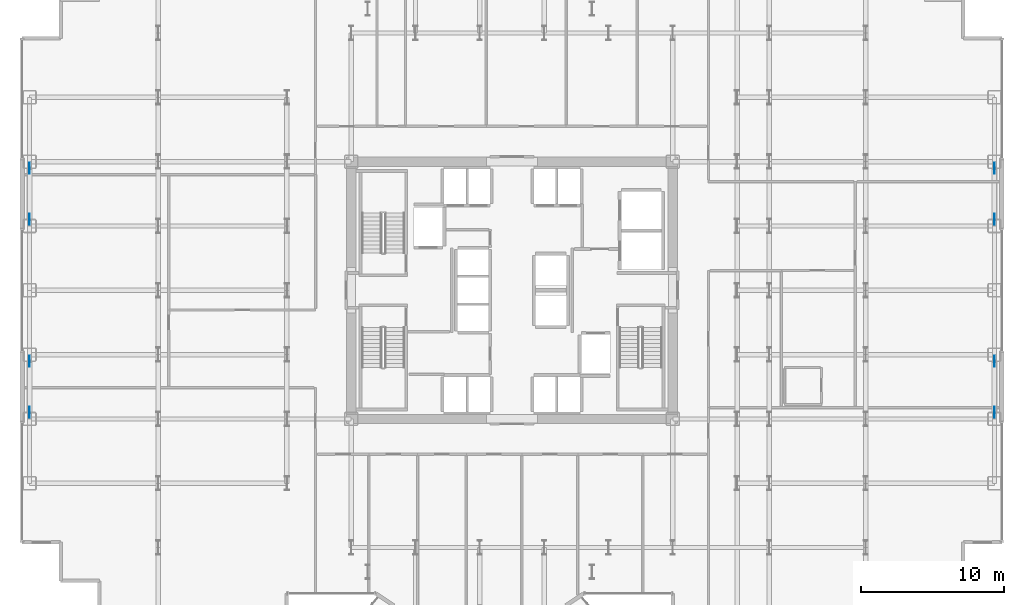
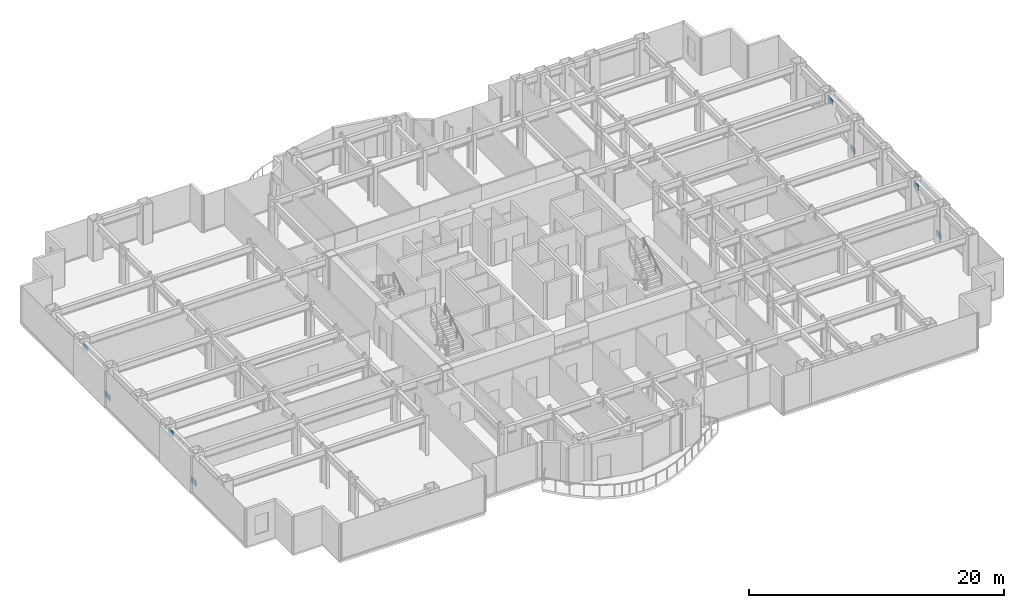
# One storey, part 21 of 29: 8 plates.
"""IFC4 building model written with IfcOpenShell, lengths in metres."""

from ifc_helpers import new_model, si_unit, direction, frame, origin, origin_2d, place, context, subcontext, project, spatial, rectangle, extrude, source, transform, mapped, material, layer, layer_set, type_object, element, save


model = new_model("IFC4")

# Units and contexts
model_context = context("Model", 3, precision=1e-05, world=origin(), true_north=direction((0.0, 1.0)))
body_context = subcontext(model_context, "Body", "Model", "MODEL_VIEW")
ifc_project = project(units=[si_unit("LENGTHUNIT", "METRE"), si_unit("AREAUNIT", "SQUARE_METRE"), si_unit("VOLUMEUNIT", "CUBIC_METRE"), si_unit("PLANEANGLEUNIT", "RADIAN"), si_unit("MASSUNIT", "GRAM", prefix="KILO")], contexts=[model_context])

# Site, building, storey
site_placement = place(None, origin())
site = spatial("IfcSite", under=ifc_project, at=site_placement, CompositionType="ELEMENT")
building_placement = place(site_placement, origin())
building = spatial("IfcBuilding", under=site, at=building_placement, Name="Nefas-Gora Pilgrimage Tower", CompositionType="ELEMENT")
storey_placement = place(building_placement, frame((0.0, 0.0, 78.60009765625)))
storey = spatial("IfcBuildingStorey", under=building, at=storey_placement, Name="L18", CompositionType="ELEMENT", Elevation=78.60009765625)

# Plates
ifc_material = material(Name="Steel S460", Category="steel")
ifc_layer = layer(ifc_material, 0.048095703125)
ifc_layer_set = layer_set([ifc_layer], Name="Steel S460")
plate_type = type_object("IfcPlateType", Name="PLT-NODE-N07", PredefinedType="USERDEFINED", material=ifc_layer_set)
shared_shape = source(origin(), body_context, "Body", "SweptSolid", [
    extrude(rectangle(XDim=0.780029296875, YDim=0.0380859375, at=origin_2d()), origin(), (0.0, 0.0, 1.0), 0.5400390625),
])
for number, where, z_axis, x_axis, name in (
    (1, (-33.75, -8.537109375, 0.211181640625), (0.0, 0.0, 1.0), (0.0, 1.0, 0.0), "Structural Node Gusset Plate N07 (L18)"),
    (2, (-33.75, -4.962890625, 2.7685546875), (0.0, 0.0, 1.0), (0.0, 1.0, 0.0), "Structural Node Gusset Plate N07 (L18)"),
    (3, (-33.75, 4.962890625, 0.211181640625), (0.0, 0.0, 1.0), (0.0, 1.0, 0.0), "Structural Node Gusset Plate N07 (L18)"),
    (4, (-33.75, 8.537109375, 2.7685546875), (0.0, 0.0, 1.0), (0.0, 1.0, 0.0), "Structural Node Gusset Plate N07 (L18)"),
    (5, (33.75, -8.537109375, 0.211181640625), (0.0, 0.0, 1.0), (0.0, 1.0, 0.0), "Structural Node Gusset Plate N07 (L18)"),
    (6, (33.75, -4.962890625, 2.7685546875), (0.0, 0.0, 1.0), (0.0, 1.0, 0.0), "Structural Node Gusset Plate N07 (L18)"),
    (7, (33.75, 4.962890625, 0.211181640625), (0.0, 0.0, 1.0), (0.0, 1.0, 0.0), "Structural Node Gusset Plate N07 (L18)"),
    (8, (33.75, 8.537109375, 2.7685546875), (0.0, 0.0, 1.0), (0.0, 1.0, 0.0), "Structural Node Gusset Plate N07 (L18)"),
):
    element("IfcPlate", number, at=place(storey_placement, frame(where, z_axis=z_axis, x_axis=x_axis)), inside=storey, type_object=plate_type, Name=name, ObjectType="GUSSET_PLATE", PredefinedType="USERDEFINED", context=body_context, shape_type="MappedRepresentation", body=[
        mapped(shared_shape, transform((0.0, 0.0, 0.0), x_axis=(1.0, 0.0, 0.0), y_axis=(0.0, 1.0, 0.0), z_axis=(0.0, 0.0, 1.0), scale=1.0)),
    ])

save(model, "model.ifc")
